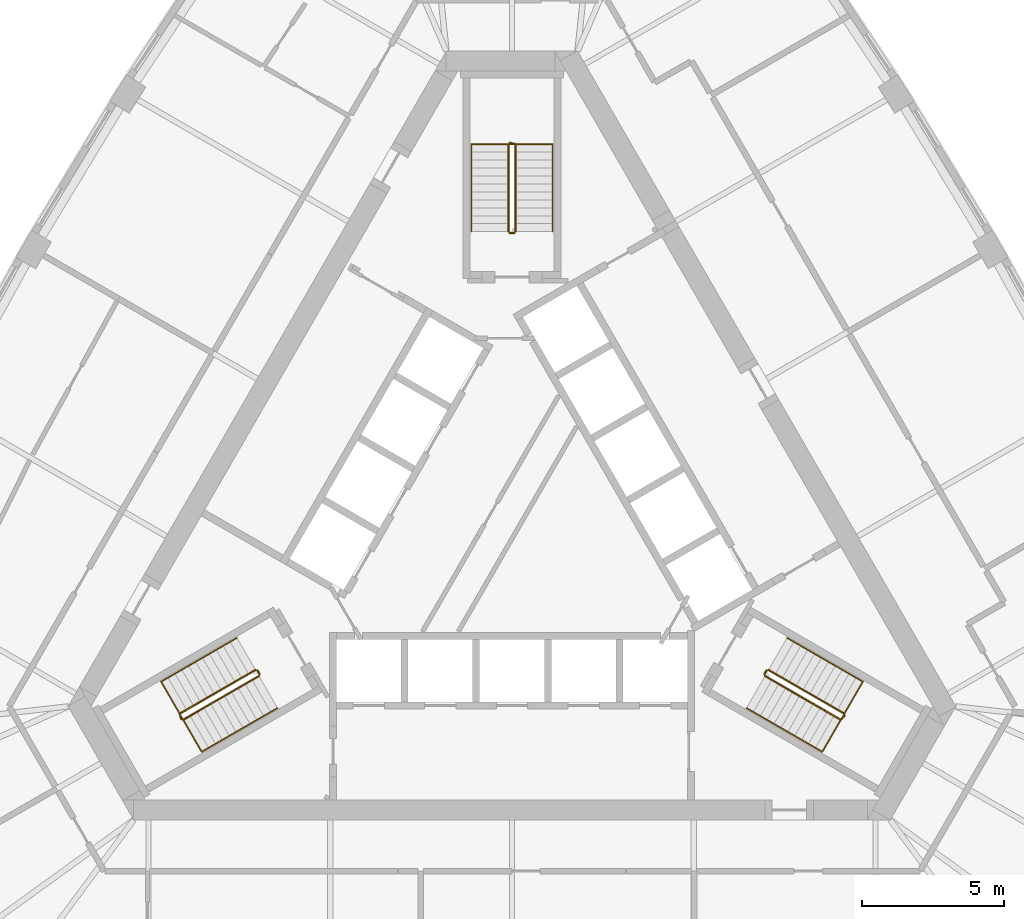
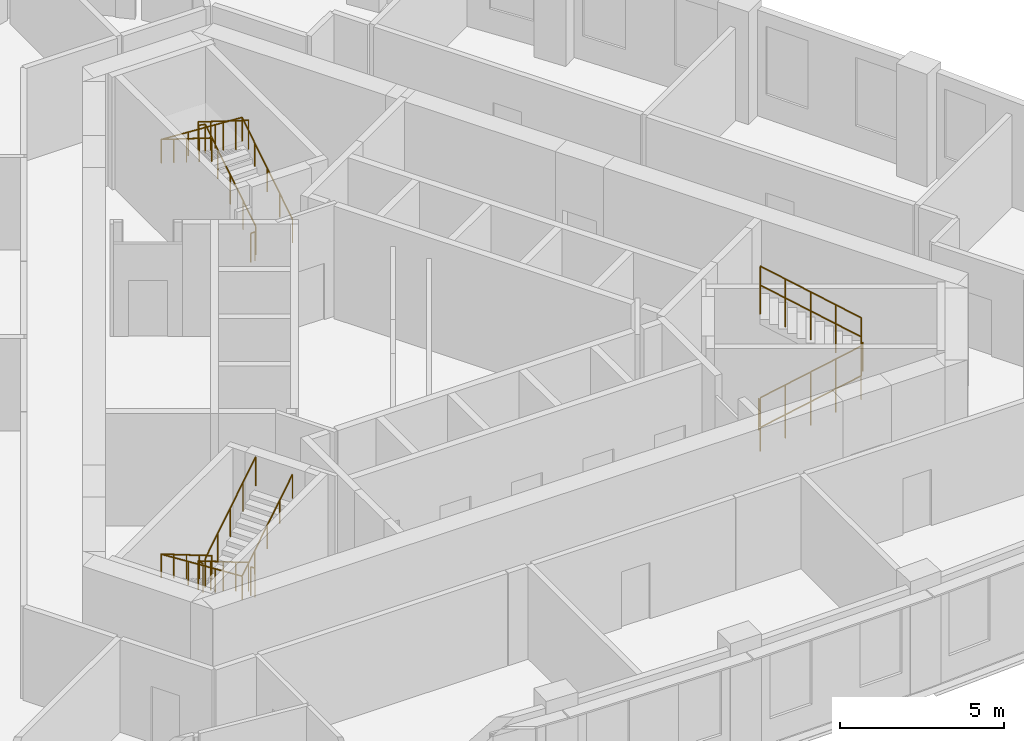
# One storey, part 10 of 10: 12 railings.
"""IFC4 building model written with IfcOpenShell, lengths in metres."""

from ifc_helpers import new_model, si_unit, direction, frame, origin, origin_2d, place, context, subcontext, project, spatial, circle, extrude, material, type_object, element, save


model = new_model("IFC4")

# Units and contexts
model_context = context("Model", 3, precision=1e-05, world=origin(), true_north=direction((0.0, 1.0)))
body_context = subcontext(model_context, "Body", "Model", "MODEL_VIEW")
ifc_project = project(units=[si_unit("LENGTHUNIT", "METRE"), si_unit("AREAUNIT", "SQUARE_METRE"), si_unit("VOLUMEUNIT", "CUBIC_METRE"), si_unit("PLANEANGLEUNIT", "RADIAN"), si_unit("MASSUNIT", "GRAM", prefix="KILO")], contexts=[model_context])

# Site, building, storey
site_placement = place(None, origin())
site = spatial("IfcSite", under=ifc_project, at=site_placement, CompositionType="ELEMENT")
building_placement = place(site_placement, origin())
building = spatial("IfcBuilding", under=site, at=building_placement, Name="Mestral Congress Tower", CompositionType="ELEMENT")
storey_placement = place(building_placement, frame((0.0, 0.0, 218.39990234375)))
storey = spatial("IfcBuildingStorey", under=building, at=storey_placement, Name="L51", CompositionType="ELEMENT", Elevation=218.39990234375)

# Railings
ifc_material_1 = material(Name="Steel balustrade", Category="steel")
railing_type_1 = type_object("IfcRailingType", Name="Stair guard 1100", PredefinedType="GUARDRAIL", material=ifc_material_1)
railing_1_placement = place(storey_placement, frame((8.90087890625, -5.283203125, 0.175048828125)))
element("IfcRailing", 1, at=railing_1_placement, inside=storey, type_object=railing_type_1, Name="L51 ST1 stair guard 1", PredefinedType="GUARDRAIL", context=body_context, shape_type="SweptSolid", body=[
    extrude(circle(Radius=0.02392578125, at=origin_2d()), frame((0.0, 0.0, 1.076171875), z_axis=(0.734364028329, -0.424015404183, 0.530019255228), x_axis=(0.500026652407, 0.866010015463, 0.0)), (0.0, 0.0, 1.0), 3.632080078125),
    extrude(circle(Radius=0.02392578125, at=origin_2d()), frame((2.667236328125, -1.5400390625, 3.0009765625), z_axis=(0.695164929852, 0.718850276695, 0.0), x_axis=(-0.718850276695, 0.695164929852, 0.0)), (0.0, 0.0, 1.0), 0.2060546875),
    extrude(circle(Radius=0.02099609375, at=origin_2d()), origin(), (0.0, 0.0, 1.0), 1.052001953125),
    extrude(circle(Radius=0.02099609375, at=origin_2d()), frame((0.666748046875, -0.385009765625, 0.481201171875)), (0.0, 0.0, 1.0), 1.052001953125),
    extrude(circle(Radius=0.02099609375, at=origin_2d()), frame((1.33349609375, -0.77001953125, 0.96240234375)), (0.0, 0.0, 1.0), 1.052001953125),
    extrude(circle(Radius=0.02099609375, at=origin_2d()), frame((2.00048828125, -1.155029296875, 1.44384765625)), (0.0, 0.0, 1.0), 1.052001953125),
    extrude(circle(Radius=0.02099609375, at=origin_2d()), frame((2.667236328125, -1.5400390625, 1.925048828125)), (0.0, 0.0, 1.0), 1.052001953125),
    extrude(circle(Radius=0.02099609375, at=origin_2d()), frame((2.810546875, -1.391845703125, 1.925048828125)), (0.0, 0.0, 1.0), 1.052001953125),
])
railing_2_placement = place(storey_placement, frame((11.693115234375, -6.606689453125, 2.275146484375)))
element("IfcRailing", 2, at=railing_2_placement, inside=storey, type_object=railing_type_1, Name="L51 ST1 stair guard 2", PredefinedType="GUARDRAIL", context=body_context, shape_type="SweptSolid", body=[
    extrude(circle(Radius=0.02392578125, at=origin_2d()), frame((0.0, 0.0, 1.076171875), z_axis=(-0.734364028329, 0.424015404183, 0.530019255228), x_axis=(-0.500026652407, -0.866010015463, 0.0)), (0.0, 0.0, 1.0), 3.632080078125),
    extrude(circle(Radius=0.02099609375, at=origin_2d()), origin(), (0.0, 0.0, 1.0), 1.052001953125),
    extrude(circle(Radius=0.02099609375, at=origin_2d()), frame((-0.666748046875, 0.385009765625, 0.481201171875)), (0.0, 0.0, 1.0), 1.052001953125),
    extrude(circle(Radius=0.02099609375, at=origin_2d()), frame((-1.33349609375, 0.77001953125, 0.96240234375)), (0.0, 0.0, 1.0), 1.052001953125),
    extrude(circle(Radius=0.02099609375, at=origin_2d()), frame((-2.00048828125, 1.155029296875, 1.44384765625)), (0.0, 0.0, 1.0), 1.052001953125),
    extrude(circle(Radius=0.02099609375, at=origin_2d()), frame((-2.667236328125, 1.5400390625, 1.925048828125)), (0.0, 0.0, 1.0), 1.052001953125),
])
railing_3_placement = place(storey_placement, frame((8.882568359375, -5.21484375, 0.0)))
element("IfcRailing", 3, at=railing_3_placement, inside=storey, type_object=railing_type_1, Name="L51 ST1 stair guard 3", PredefinedType="GUARDRAIL", context=body_context, shape_type="SweptSolid", body=[
    extrude(circle(Radius=0.02392578125, at=origin_2d()), frame((0.0, 0.0, 1.076171875), z_axis=(0.499816412211, 0.866131372301, 0.0), x_axis=(-0.866131372301, 0.499816412211, 0.0)), (0.0, 0.0, 1.0), 0.14990234375),
    extrude(circle(Radius=0.02099609375, at=origin_2d()), origin(), (0.0, 0.0, 1.0), 1.052001953125),
    extrude(circle(Radius=0.02099609375, at=origin_2d()), frame((0.074951171875, 0.1298828125, 0.0)), (0.0, 0.0, 1.0), 1.052001953125),
])
railing_4_placement = place(storey_placement, frame((0.125, 10.35009765625, 0.175048828125)))
element("IfcRailing", 4, at=railing_4_placement, inside=storey, type_object=railing_type_1, Name="L51 ST2 stair guard 1", PredefinedType="GUARDRAIL", context=body_context, shape_type="SweptSolid", body=[
    extrude(circle(Radius=0.02392578125, at=origin_2d()), frame((0.0, 0.0, 1.076171875), z_axis=(0.0, 0.847979421464, 0.530029150871), x_axis=(-1.0, 0.0, 0.0)), (0.0, 0.0, 1.0), 3.632080078125),
    extrude(circle(Radius=0.02392578125, at=origin_2d()), frame((0.0, 3.079833984375, 3.0009765625), z_axis=(-0.970072785993, 0.242814311512, 0.0), x_axis=(-0.242814311512, -0.970072785993, 0.0)), (0.0, 0.0, 1.0), 0.2060546875),
    extrude(circle(Radius=0.02099609375, at=origin_2d()), origin(), (0.0, 0.0, 1.0), 1.052001953125),
    extrude(circle(Radius=0.02099609375, at=origin_2d()), frame((0.0, 0.77001953125, 0.481201171875)), (0.0, 0.0, 1.0), 1.052001953125),
    extrude(circle(Radius=0.02099609375, at=origin_2d()), frame((0.0, 1.5400390625, 0.96240234375)), (0.0, 0.0, 1.0), 1.052001953125),
    extrude(circle(Radius=0.02099609375, at=origin_2d()), frame((0.0, 2.309814453125, 1.44384765625)), (0.0, 0.0, 1.0), 1.052001953125),
    extrude(circle(Radius=0.02099609375, at=origin_2d()), frame((0.0, 3.079833984375, 1.925048828125)), (0.0, 0.0, 1.0), 1.052001953125),
    extrude(circle(Radius=0.02099609375, at=origin_2d()), frame((-0.199951171875, 3.1298828125, 1.925048828125)), (0.0, 0.0, 1.0), 1.052001953125),
])
railing_5_placement = place(storey_placement, frame((-0.125, 13.429931640625, 2.275146484375)))
element("IfcRailing", 5, at=railing_5_placement, inside=storey, type_object=railing_type_1, Name="L51 ST2 stair guard 2", PredefinedType="GUARDRAIL", context=body_context, shape_type="SweptSolid", body=[
    extrude(circle(Radius=0.02392578125, at=origin_2d()), frame((0.0, 0.0, 1.076171875), z_axis=(0.0, -0.847979421464, 0.530029150871), x_axis=(1.0, 0.0, 0.0)), (0.0, 0.0, 1.0), 3.632080078125),
    extrude(circle(Radius=0.02099609375, at=origin_2d()), origin(), (0.0, 0.0, 1.0), 1.052001953125),
    extrude(circle(Radius=0.02099609375, at=origin_2d()), frame((0.0, -0.77001953125, 0.481201171875)), (0.0, 0.0, 1.0), 1.052001953125),
    extrude(circle(Radius=0.02099609375, at=origin_2d()), frame((0.0, -1.5400390625, 0.96240234375)), (0.0, 0.0, 1.0), 1.052001953125),
    extrude(circle(Radius=0.02099609375, at=origin_2d()), frame((0.0, -2.309814453125, 1.44384765625)), (0.0, 0.0, 1.0), 1.052001953125),
    extrude(circle(Radius=0.02099609375, at=origin_2d()), frame((0.0, -3.079833984375, 1.925048828125)), (0.0, 0.0, 1.0), 1.052001953125),
])
railing_6_placement = place(storey_placement, frame((0.074951171875, 10.300048828125, 0.0)))
element("IfcRailing", 6, at=railing_6_placement, inside=storey, type_object=railing_type_1, Name="L51 ST2 stair guard 3", PredefinedType="GUARDRAIL", context=body_context, shape_type="SweptSolid", body=[
    extrude(circle(Radius=0.02392578125, at=origin_2d()), frame((0.0, 0.0, 1.076171875), z_axis=(-1.0, 0.0, 0.0), x_axis=(0.0, -1.0, 0.0)), (0.0, 0.0, 1.0), 0.14990234375),
    extrude(circle(Radius=0.02099609375, at=origin_2d()), origin(), (0.0, 0.0, 1.0), 1.052001953125),
    extrude(circle(Radius=0.02099609375, at=origin_2d()), frame((-0.14990234375, 0.0, 0.0)), (0.0, 0.0, 1.0), 1.052001953125),
])
railing_7_placement = place(storey_placement, frame((-9.02587890625, -5.066650390625, 0.175048828125)))
element("IfcRailing", 7, at=railing_7_placement, inside=storey, type_object=railing_type_1, Name="L51 ST3 stair guard 1", PredefinedType="GUARDRAIL", context=body_context, shape_type="SweptSolid", body=[
    extrude(circle(Radius=0.02392578125, at=origin_2d()), frame((0.0, 0.0, 1.076171875), z_axis=(-0.734364028329, -0.424015404183, 0.530019255228), x_axis=(0.500026652407, -0.866010015463, 0.0)), (0.0, 0.0, 1.0), 3.632080078125),
    extrude(circle(Radius=0.02392578125, at=origin_2d()), frame((-2.667236328125, -1.5400390625, 3.0009765625), z_axis=(0.274721127897, -0.961523947641, 0.0), x_axis=(0.961523947641, 0.274721127897, 0.0)), (0.0, 0.0, 1.0), 0.2060546875),
    extrude(circle(Radius=0.02099609375, at=origin_2d()), origin(), (0.0, 0.0, 1.0), 1.052001953125),
    extrude(circle(Radius=0.02099609375, at=origin_2d()), frame((-0.666748046875, -0.385009765625, 0.481201171875)), (0.0, 0.0, 1.0), 1.052001953125),
    extrude(circle(Radius=0.02099609375, at=origin_2d()), frame((-1.33349609375, -0.77001953125, 0.96240234375)), (0.0, 0.0, 1.0), 1.052001953125),
    extrude(circle(Radius=0.02099609375, at=origin_2d()), frame((-2.00048828125, -1.155029296875, 1.44384765625)), (0.0, 0.0, 1.0), 1.052001953125),
    extrude(circle(Radius=0.02099609375, at=origin_2d()), frame((-2.667236328125, -1.5400390625, 1.925048828125)), (0.0, 0.0, 1.0), 1.052001953125),
    extrude(circle(Radius=0.02099609375, at=origin_2d()), frame((-2.610595703125, -1.73828125, 1.925048828125)), (0.0, 0.0, 1.0), 1.052001953125),
])
railing_8_placement = place(storey_placement, frame((-11.568115234375, -6.8232421875, 2.275146484375)))
element("IfcRailing", 8, at=railing_8_placement, inside=storey, type_object=railing_type_1, Name="L51 ST3 stair guard 2", PredefinedType="GUARDRAIL", context=body_context, shape_type="SweptSolid", body=[
    extrude(circle(Radius=0.02392578125, at=origin_2d()), frame((0.0, 0.0, 1.076171875), z_axis=(0.734364028329, 0.424015404183, 0.530019255228), x_axis=(-0.500026652407, 0.866010015463, 0.0)), (0.0, 0.0, 1.0), 3.632080078125),
    extrude(circle(Radius=0.02099609375, at=origin_2d()), origin(), (0.0, 0.0, 1.0), 1.052001953125),
    extrude(circle(Radius=0.02099609375, at=origin_2d()), frame((0.666748046875, 0.385009765625, 0.481201171875)), (0.0, 0.0, 1.0), 1.052001953125),
    extrude(circle(Radius=0.02099609375, at=origin_2d()), frame((1.33349609375, 0.77001953125, 0.96240234375)), (0.0, 0.0, 1.0), 1.052001953125),
    extrude(circle(Radius=0.02099609375, at=origin_2d()), frame((2.00048828125, 1.155029296875, 1.44384765625)), (0.0, 0.0, 1.0), 1.052001953125),
    extrude(circle(Radius=0.02099609375, at=origin_2d()), frame((2.667236328125, 1.5400390625, 1.925048828125)), (0.0, 0.0, 1.0), 1.052001953125),
])
railing_9_placement = place(storey_placement, frame((-8.95751953125, -5.0849609375, 0.0)))
element("IfcRailing", 9, at=railing_9_placement, inside=storey, type_object=railing_type_1, Name="L51 ST3 stair guard 3", PredefinedType="GUARDRAIL", context=body_context, shape_type="SweptSolid", body=[
    extrude(circle(Radius=0.02392578125, at=origin_2d()), frame((0.0, 0.0, 1.076171875), z_axis=(0.499816412211, -0.866131372301, 0.0), x_axis=(0.866131372301, 0.499816412211, 0.0)), (0.0, 0.0, 1.0), 0.14990234375),
    extrude(circle(Radius=0.02099609375, at=origin_2d()), origin(), (0.0, 0.0, 1.0), 1.052001953125),
    extrude(circle(Radius=0.02099609375, at=origin_2d()), frame((0.074951171875, -0.1298828125, 0.0)), (0.0, 0.0, 1.0), 1.052001953125),
])
ifc_material_2 = material(Name="Steel handrail", Category="steel")
railing_type_2 = type_object("IfcRailingType", Name="Stair handrail 900", PredefinedType="HANDRAIL", material=ifc_material_2)
railing_10_placement = place(storey_placement, frame((8.2509765625, -6.4091796875, 0.175048828125)))
element("IfcRailing", 10, at=railing_10_placement, inside=storey, type_object=railing_type_2, Name="L51 ST1 stair handrail 1", PredefinedType="HANDRAIL", context=body_context, shape_type="SweptSolid", body=[
    extrude(circle(Radius=0.02392578125, at=origin_2d()), frame((0.0, 0.0, 0.8759765625), z_axis=(0.734384958227, -0.423960268333, 0.530034361155), x_axis=(0.499967199496, 0.866044340336, 0.0)), (0.0, 0.0, 1.0), 3.6318359375),
    extrude(circle(Radius=0.02392578125, at=origin_2d()), frame((2.667236328125, -1.539794921875, 2.80078125), z_axis=(0.499095769026, 0.864375386171, 0.061307463833), x_axis=(-0.866004402611, 0.500036373335, 0.0)), (0.0, 0.0, 1.0), 2.855224609375),
    extrude(circle(Radius=0.02392578125, at=origin_2d()), frame((4.09228515625, 0.92822265625, 2.97607421875), z_axis=(-0.734394994316, 0.423994474112, 0.52999309264), x_axis=(-0.499992328818, -0.866029832698, 0.0)), (0.0, 0.0, 1.0), 3.63232421875),
    extrude(circle(Radius=0.02099609375, at=origin_2d()), origin(), (0.0, 0.0, 1.0), 0.851806640625),
    extrude(circle(Radius=0.02099609375, at=origin_2d()), frame((0.666748046875, -0.385009765625, 0.481201171875)), (0.0, 0.0, 1.0), 0.851806640625),
    extrude(circle(Radius=0.02099609375, at=origin_2d()), frame((1.33349609375, -0.77001953125, 0.96240234375)), (0.0, 0.0, 1.0), 0.851806640625),
    extrude(circle(Radius=0.02099609375, at=origin_2d()), frame((2.00048828125, -1.15478515625, 1.44384765625)), (0.0, 0.0, 1.0), 0.851806640625),
    extrude(circle(Radius=0.02099609375, at=origin_2d()), frame((2.667236328125, -1.539794921875, 1.925048828125)), (0.0, 0.0, 1.0), 0.851806640625),
    extrude(circle(Radius=0.02099609375, at=origin_2d()), frame((3.142333984375, -0.717041015625, 1.9833984375)), (0.0, 0.0, 1.0), 0.851806640625),
    extrude(circle(Radius=0.02099609375, at=origin_2d()), frame((3.6171875, 0.10546875, 2.041748046875)), (0.0, 0.0, 1.0), 0.851806640625),
    extrude(circle(Radius=0.02099609375, at=origin_2d()), frame((4.09228515625, 0.92822265625, 2.10009765625)), (0.0, 0.0, 1.0), 0.851806640625),
    extrude(circle(Radius=0.02099609375, at=origin_2d()), frame((3.42529296875, 1.313232421875, 2.581298828125)), (0.0, 0.0, 1.0), 0.851806640625),
    extrude(circle(Radius=0.02099609375, at=origin_2d()), frame((2.758544921875, 1.6982421875, 3.0625)), (0.0, 0.0, 1.0), 0.851806640625),
    extrude(circle(Radius=0.02099609375, at=origin_2d()), frame((2.091796875, 2.083251953125, 3.5439453125)), (0.0, 0.0, 1.0), 0.851806640625),
    extrude(circle(Radius=0.02099609375, at=origin_2d()), frame((1.4248046875, 2.46826171875, 4.025146484375)), (0.0, 0.0, 1.0), 0.851806640625),
])
railing_11_placement = place(storey_placement, frame((1.425048828125, 10.35009765625, 0.175048828125)))
element("IfcRailing", 11, at=railing_11_placement, inside=storey, type_object=railing_type_2, Name="L51 ST2 stair handrail 1", PredefinedType="HANDRAIL", context=body_context, shape_type="SweptSolid", body=[
    extrude(circle(Radius=0.02392578125, at=origin_2d()), frame((0.0, 0.0, 0.8759765625), z_axis=(0.0, 0.847979421464, 0.530029150871), x_axis=(-1.0, 0.0, 0.0)), (0.0, 0.0, 1.0), 3.632080078125),
    extrude(circle(Radius=0.02392578125, at=origin_2d()), frame((0.0, 3.079833984375, 2.80078125), z_axis=(-0.998119201106, 0.0, 0.061303021003), x_axis=(0.0, -1.0, 0.0)), (0.0, 0.0, 1.0), 2.85546875),
    extrude(circle(Radius=0.02392578125, at=origin_2d()), frame((-2.85009765625, 3.079833984375, 2.97607421875), z_axis=(0.0, -0.847979421464, 0.530029150871), x_axis=(1.0, 0.0, 0.0)), (0.0, 0.0, 1.0), 3.632080078125),
    extrude(circle(Radius=0.02099609375, at=origin_2d()), origin(), (0.0, 0.0, 1.0), 0.851806640625),
    extrude(circle(Radius=0.02099609375, at=origin_2d()), frame((0.0, 0.77001953125, 0.481201171875)), (0.0, 0.0, 1.0), 0.851806640625),
    extrude(circle(Radius=0.02099609375, at=origin_2d()), frame((0.0, 1.5400390625, 0.96240234375)), (0.0, 0.0, 1.0), 0.851806640625),
    extrude(circle(Radius=0.02099609375, at=origin_2d()), frame((0.0, 2.309814453125, 1.44384765625)), (0.0, 0.0, 1.0), 0.851806640625),
    extrude(circle(Radius=0.02099609375, at=origin_2d()), frame((0.0, 3.079833984375, 1.925048828125)), (0.0, 0.0, 1.0), 0.851806640625),
    extrude(circle(Radius=0.02099609375, at=origin_2d()), frame((-0.949951171875, 3.079833984375, 1.9833984375)), (0.0, 0.0, 1.0), 0.851806640625),
    extrude(circle(Radius=0.02099609375, at=origin_2d()), frame((-1.900146484375, 3.079833984375, 2.041748046875)), (0.0, 0.0, 1.0), 0.851806640625),
    extrude(circle(Radius=0.02099609375, at=origin_2d()), frame((-2.85009765625, 3.079833984375, 2.10009765625)), (0.0, 0.0, 1.0), 0.851806640625),
    extrude(circle(Radius=0.02099609375, at=origin_2d()), frame((-2.85009765625, 2.309814453125, 2.581298828125)), (0.0, 0.0, 1.0), 0.851806640625),
    extrude(circle(Radius=0.02099609375, at=origin_2d()), frame((-2.85009765625, 1.5400390625, 3.0625)), (0.0, 0.0, 1.0), 0.851806640625),
    extrude(circle(Radius=0.02099609375, at=origin_2d()), frame((-2.85009765625, 0.77001953125, 3.5439453125)), (0.0, 0.0, 1.0), 0.851806640625),
    extrude(circle(Radius=0.02099609375, at=origin_2d()), frame((-2.85009765625, 0.0, 4.025146484375)), (0.0, 0.0, 1.0), 0.851806640625),
])
railing_12_placement = place(storey_placement, frame((-9.67578125, -3.94091796875, 0.175048828125)))
element("IfcRailing", 12, at=railing_12_placement, inside=storey, type_object=railing_type_2, Name="L51 ST3 stair handrail 1", PredefinedType="HANDRAIL", context=body_context, shape_type="SweptSolid", body=[
    extrude(circle(Radius=0.02392578125, at=origin_2d()), frame((0.0, 0.0, 0.8759765625), z_axis=(-0.734394994316, -0.423994474112, 0.52999309264), x_axis=(0.499992328818, -0.866029832698, 0.0)), (0.0, 0.0, 1.0), 3.63232421875),
    extrude(circle(Radius=0.02392578125, at=origin_2d()), frame((-2.66748046875, -1.5400390625, 2.80078125), z_axis=(0.499095769026, -0.864375386171, 0.061307463833), x_axis=(0.866004402611, 0.500036373335, 0.0)), (0.0, 0.0, 1.0), 2.855224609375),
    extrude(circle(Radius=0.02392578125, at=origin_2d()), frame((-1.242431640625, -4.008056640625, 2.97607421875), z_axis=(0.734384958227, 0.423960268333, 0.530034361155), x_axis=(-0.499967199496, 0.866044340336, 0.0)), (0.0, 0.0, 1.0), 3.6318359375),
    extrude(circle(Radius=0.02099609375, at=origin_2d()), origin(), (0.0, 0.0, 1.0), 0.851806640625),
    extrude(circle(Radius=0.02099609375, at=origin_2d()), frame((-0.6669921875, -0.385009765625, 0.481201171875)), (0.0, 0.0, 1.0), 0.851806640625),
    extrude(circle(Radius=0.02099609375, at=origin_2d()), frame((-1.333740234375, -0.77001953125, 0.96240234375)), (0.0, 0.0, 1.0), 0.851806640625),
    extrude(circle(Radius=0.02099609375, at=origin_2d()), frame((-2.00048828125, -1.155029296875, 1.44384765625)), (0.0, 0.0, 1.0), 0.851806640625),
    extrude(circle(Radius=0.02099609375, at=origin_2d()), frame((-2.66748046875, -1.5400390625, 1.925048828125)), (0.0, 0.0, 1.0), 0.851806640625),
    extrude(circle(Radius=0.02099609375, at=origin_2d()), frame((-2.1923828125, -2.36279296875, 1.9833984375)), (0.0, 0.0, 1.0), 0.851806640625),
    extrude(circle(Radius=0.02099609375, at=origin_2d()), frame((-1.717529296875, -3.185302734375, 2.041748046875)), (0.0, 0.0, 1.0), 0.851806640625),
    extrude(circle(Radius=0.02099609375, at=origin_2d()), frame((-1.242431640625, -4.008056640625, 2.10009765625)), (0.0, 0.0, 1.0), 0.851806640625),
    extrude(circle(Radius=0.02099609375, at=origin_2d()), frame((-0.57568359375, -3.623046875, 2.581298828125)), (0.0, 0.0, 1.0), 0.851806640625),
    extrude(circle(Radius=0.02099609375, at=origin_2d()), frame((0.09130859375, -3.23828125, 3.0625)), (0.0, 0.0, 1.0), 0.851806640625),
    extrude(circle(Radius=0.02099609375, at=origin_2d()), frame((0.758056640625, -2.853271484375, 3.5439453125)), (0.0, 0.0, 1.0), 0.851806640625),
    extrude(circle(Radius=0.02099609375, at=origin_2d()), frame((1.4248046875, -2.46826171875, 4.025146484375)), (0.0, 0.0, 1.0), 0.851806640625),
])

save(model, "model.ifc")
